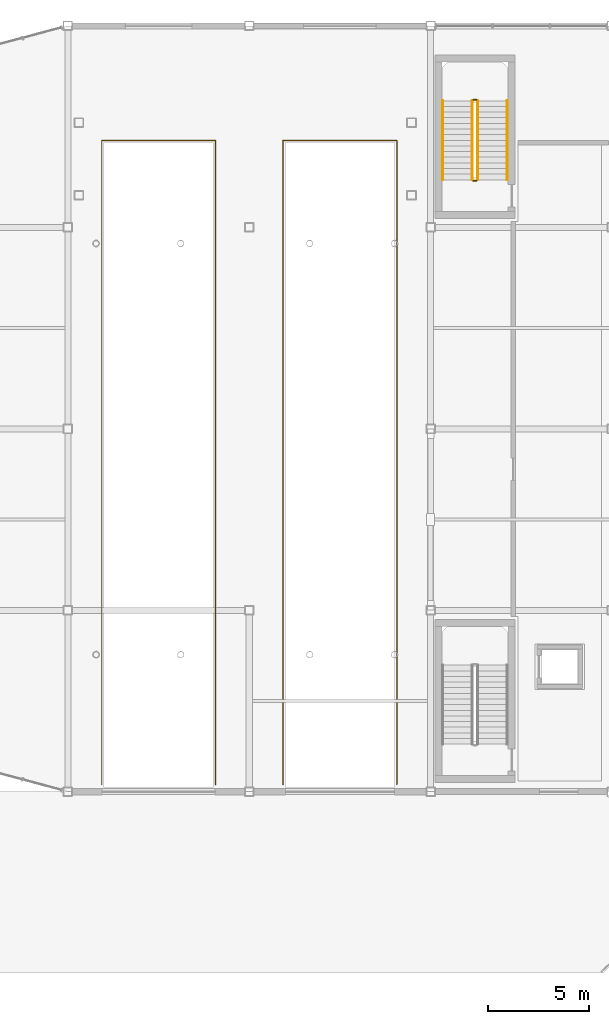
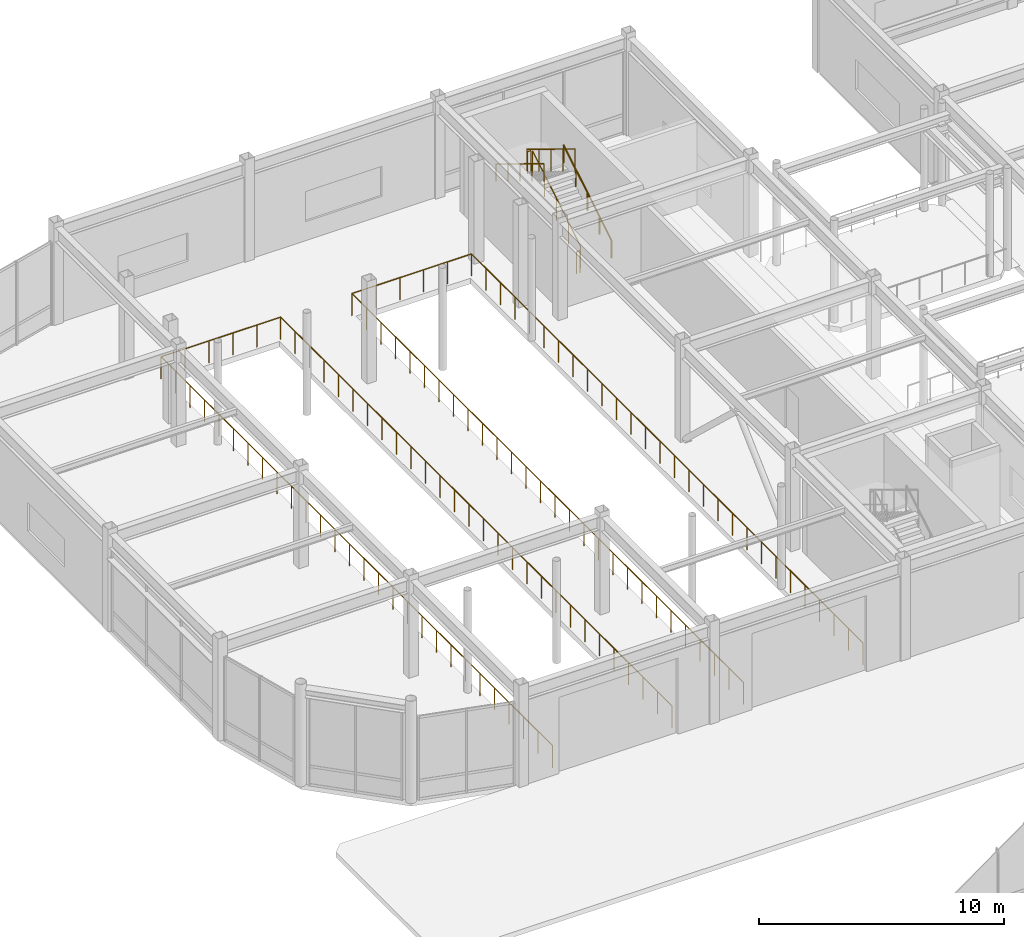
# One storey, part 112 of 123: 8 railings.
"""IFC4 building model written with IfcOpenShell, lengths in metres."""

from ifc_helpers import new_model, si_unit, direction, frame, origin, origin_2d, place, context, subcontext, project, spatial, circle, extrude, material, type_object, element, save


model = new_model("IFC4")

# Units and contexts
model_context = context("Model", 3, precision=1e-05, world=origin(), true_north=direction((0.0, 1.0)))
body_context = subcontext(model_context, "Body", "Model", "MODEL_VIEW")
ifc_project = project(units=[si_unit("LENGTHUNIT", "METRE"), si_unit("AREAUNIT", "SQUARE_METRE"), si_unit("VOLUMEUNIT", "CUBIC_METRE"), si_unit("PLANEANGLEUNIT", "RADIAN"), si_unit("MASSUNIT", "GRAM", prefix="KILO")], contexts=[model_context])

# Site, building, storey
site_placement = place(None, origin())
site = spatial("IfcSite", under=ifc_project, at=site_placement, CompositionType="ELEMENT")
building_placement = place(site_placement, origin())
building = spatial("IfcBuilding", under=site, at=building_placement, Name="Suzunagisa Mobility Hub", CompositionType="ELEMENT")
storey_placement = place(building_placement, origin())
storey = spatial("IfcBuildingStorey", under=building, at=storey_placement, Name="L00", CompositionType="ELEMENT", Elevation=0.0)

# Railings
ifc_material = material(Name="Stainless Steel SUS304", Category="metal")
railing_type_1 = type_object("IfcRailingType", Name="Interior Well Guardrail IGR-01", PredefinedType="GUARDRAIL", material=ifc_material)
railing_1_placement = place(storey_placement, frame((29.330078125, 110.360107421875, 0.169921875)))
element("IfcRailing", 1, at=railing_1_placement, inside=storey, type_object=railing_type_1, Name="L00 ST-06 stair guard 1", PredefinedType="GUARDRAIL", context=body_context, shape_type="SweptSolid", body=[
    extrude(circle(Radius=0.02392578125, at=origin_2d()), frame((0.0, 0.0, 1.09619140625), z_axis=(0.0, 0.854770645689, 0.519005918337), x_axis=(-1.0, 0.0, 0.0)), (0.0, 0.0, 1.0), 4.5859375),
    extrude(circle(Radius=0.02099609375, at=origin_2d()), origin(), (0.0, 0.0, 1.0), 1.072021484375),
    extrude(circle(Radius=0.02099609375, at=origin_2d()), frame((0.0, 0.97998046875, 0.594970703125)), (0.0, 0.0, 1.0), 1.072021484375),
    extrude(circle(Radius=0.02099609375, at=origin_2d()), frame((0.0, 1.9599609375, 1.18994140625)), (0.0, 0.0, 1.0), 1.072021484375),
    extrude(circle(Radius=0.02099609375, at=origin_2d()), frame((0.0, 2.93994140625, 1.78515625)), (0.0, 0.0, 1.0), 1.072021484375),
    extrude(circle(Radius=0.02099609375, at=origin_2d()), frame((0.0, 3.919921875, 2.380126953125)), (0.0, 0.0, 1.0), 1.072021484375),
])
railing_2_placement = place(storey_placement, frame((29.280029296875, 114.330078125, 2.550048828125)))
element("IfcRailing", 2, at=railing_2_placement, inside=storey, type_object=railing_type_1, Name="L00 ST-06 stair guard 2", PredefinedType="GUARDRAIL", context=body_context, shape_type="SweptSolid", body=[
    extrude(circle(Radius=0.02392578125, at=origin_2d()), frame((0.0, 0.0, 1.09619140625), z_axis=(-1.0, 0.0, 0.0), x_axis=(0.0, -1.0, 0.0)), (0.0, 0.0, 1.0), 0.159912109375),
    extrude(circle(Radius=0.02099609375, at=origin_2d()), origin(), (0.0, 0.0, 1.0), 1.072021484375),
    extrude(circle(Radius=0.02099609375, at=origin_2d()), frame((-0.159912109375, 0.0, 0.0)), (0.0, 0.0, 1.0), 1.072021484375),
])
railing_3_placement = place(storey_placement, frame((29.070068359375, 114.280029296875, 2.719970703125)))
element("IfcRailing", 3, at=railing_3_placement, inside=storey, type_object=railing_type_1, Name="L00 ST-06 stair guard 3", PredefinedType="GUARDRAIL", context=body_context, shape_type="SweptSolid", body=[
    extrude(circle(Radius=0.02392578125, at=origin_2d()), frame((0.0, 0.0, 1.09619140625), z_axis=(0.0, -0.854770645689, 0.519005918337), x_axis=(1.0, 0.0, 0.0)), (0.0, 0.0, 1.0), 4.5859375),
    extrude(circle(Radius=0.02099609375, at=origin_2d()), origin(), (0.0, 0.0, 1.0), 1.072021484375),
    extrude(circle(Radius=0.02099609375, at=origin_2d()), frame((0.0, -0.97998046875, 0.594970703125)), (0.0, 0.0, 1.0), 1.072021484375),
    extrude(circle(Radius=0.02099609375, at=origin_2d()), frame((0.0, -1.9599609375, 1.18994140625)), (0.0, 0.0, 1.0), 1.072021484375),
    extrude(circle(Radius=0.02099609375, at=origin_2d()), frame((0.0, -2.93994140625, 1.78515625)), (0.0, 0.0, 1.0), 1.072021484375),
    extrude(circle(Radius=0.02099609375, at=origin_2d()), frame((0.0, -3.919921875, 2.380126953125)), (0.0, 0.0, 1.0), 1.072021484375),
])
railing_4_placement = place(storey_placement, frame((29.280029296875, 110.31005859375, 0.0)))
element("IfcRailing", 4, at=railing_4_placement, inside=storey, type_object=railing_type_1, Name="L00 ST-06 stair guard 4", PredefinedType="GUARDRAIL", context=body_context, shape_type="SweptSolid", body=[
    extrude(circle(Radius=0.02392578125, at=origin_2d()), frame((0.0, 0.0, 1.09619140625), z_axis=(-1.0, 0.0, 0.0), x_axis=(0.0, -1.0, 0.0)), (0.0, 0.0, 1.0), 0.159912109375),
    extrude(circle(Radius=0.02099609375, at=origin_2d()), origin(), (0.0, 0.0, 1.0), 1.072021484375),
    extrude(circle(Radius=0.02099609375, at=origin_2d()), frame((-0.159912109375, 0.0, 0.0)), (0.0, 0.0, 1.0), 1.072021484375),
])
railing_5_placement = place(storey_placement, frame((10.679931640625, 80.35009765625, 0.0)))
element("IfcRailing", 5, at=railing_5_placement, inside=storey, type_object=railing_type_1, Name="L00 Grade Ramp Well Perimeter Guardrail RG-13", PredefinedType="GUARDRAIL", context=body_context, shape_type="SweptSolid", body=[
    extrude(circle(Radius=0.02392578125, at=origin_2d()), frame((0.0, 0.0, 1.09619140625), z_axis=(0.0, 1.0, 0.0), x_axis=(-1.0, 0.0, 0.0)), (0.0, 0.0, 1.0), 31.969970703125),
    extrude(circle(Radius=0.02392578125, at=origin_2d()), frame((0.0, 31.969970703125, 1.09619140625), z_axis=(1.0, 0.0, 0.0), x_axis=(0.0, 1.0, 0.0)), (0.0, 0.0, 1.0), 5.64013671875),
    extrude(circle(Radius=0.02392578125, at=origin_2d()), frame((5.64013671875, 31.969970703125, 1.09619140625), z_axis=(0.0, -1.0, 0.0), x_axis=(1.0, 0.0, 0.0)), (0.0, 0.0, 1.0), 31.969970703125),
    extrude(circle(Radius=0.02099609375, at=origin_2d()), origin(), (0.0, 0.0, 1.0), 1.072021484375),
    extrude(circle(Radius=0.02099609375, at=origin_2d()), frame((0.0, 1.18408203125, 0.0)), (0.0, 0.0, 1.0), 1.072021484375),
    extrude(circle(Radius=0.02099609375, at=origin_2d()), frame((0.0, 2.3681640625, 0.0)), (0.0, 0.0, 1.0), 1.072021484375),
    extrude(circle(Radius=0.02099609375, at=origin_2d()), frame((0.0, 3.55224609375, 0.0)), (0.0, 0.0, 1.0), 1.072021484375),
    extrude(circle(Radius=0.02099609375, at=origin_2d()), frame((0.0, 4.736328125, 0.0)), (0.0, 0.0, 1.0), 1.072021484375),
    extrude(circle(Radius=0.02099609375, at=origin_2d()), frame((0.0, 5.92041015625, 0.0)), (0.0, 0.0, 1.0), 1.072021484375),
    extrude(circle(Radius=0.02099609375, at=origin_2d()), frame((0.0, 7.1044921875, 0.0)), (0.0, 0.0, 1.0), 1.072021484375),
    extrude(circle(Radius=0.02099609375, at=origin_2d()), frame((0.0, 8.28857421875, 0.0)), (0.0, 0.0, 1.0), 1.072021484375),
    extrude(circle(Radius=0.02099609375, at=origin_2d()), frame((0.0, 9.47265625, 0.0)), (0.0, 0.0, 1.0), 1.072021484375),
    extrude(circle(Radius=0.02099609375, at=origin_2d()), frame((0.0, 10.65673828125, 0.0)), (0.0, 0.0, 1.0), 1.072021484375),
    extrude(circle(Radius=0.02099609375, at=origin_2d()), frame((0.0, 11.8408203125, 0.0)), (0.0, 0.0, 1.0), 1.072021484375),
    extrude(circle(Radius=0.02099609375, at=origin_2d()), frame((0.0, 13.02490234375, 0.0)), (0.0, 0.0, 1.0), 1.072021484375),
    extrude(circle(Radius=0.02099609375, at=origin_2d()), frame((0.0, 14.208984375, 0.0)), (0.0, 0.0, 1.0), 1.072021484375),
    extrude(circle(Radius=0.02099609375, at=origin_2d()), frame((0.0, 15.39306640625, 0.0)), (0.0, 0.0, 1.0), 1.072021484375),
    extrude(circle(Radius=0.02099609375, at=origin_2d()), frame((0.0, 16.576904296875, 0.0)), (0.0, 0.0, 1.0), 1.072021484375),
    extrude(circle(Radius=0.02099609375, at=origin_2d()), frame((0.0, 17.760986328125, 0.0)), (0.0, 0.0, 1.0), 1.072021484375),
    extrude(circle(Radius=0.02099609375, at=origin_2d()), frame((0.0, 18.945068359375, 0.0)), (0.0, 0.0, 1.0), 1.072021484375),
    extrude(circle(Radius=0.02099609375, at=origin_2d()), frame((0.0, 20.129150390625, 0.0)), (0.0, 0.0, 1.0), 1.072021484375),
    extrude(circle(Radius=0.02099609375, at=origin_2d()), frame((0.0, 21.313232421875, 0.0)), (0.0, 0.0, 1.0), 1.072021484375),
    extrude(circle(Radius=0.02099609375, at=origin_2d()), frame((0.0, 22.497314453125, 0.0)), (0.0, 0.0, 1.0), 1.072021484375),
    extrude(circle(Radius=0.02099609375, at=origin_2d()), frame((0.0, 23.681396484375, 0.0)), (0.0, 0.0, 1.0), 1.072021484375),
    extrude(circle(Radius=0.02099609375, at=origin_2d()), frame((0.0, 24.865478515625, 0.0)), (0.0, 0.0, 1.0), 1.072021484375),
    extrude(circle(Radius=0.02099609375, at=origin_2d()), frame((0.0, 26.049560546875, 0.0)), (0.0, 0.0, 1.0), 1.072021484375),
    extrude(circle(Radius=0.02099609375, at=origin_2d()), frame((0.0, 27.233642578125, 0.0)), (0.0, 0.0, 1.0), 1.072021484375),
    extrude(circle(Radius=0.02099609375, at=origin_2d()), frame((0.0, 28.417724609375, 0.0)), (0.0, 0.0, 1.0), 1.072021484375),
    extrude(circle(Radius=0.02099609375, at=origin_2d()), frame((0.0, 29.601806640625, 0.0)), (0.0, 0.0, 1.0), 1.072021484375),
    extrude(circle(Radius=0.02099609375, at=origin_2d()), frame((0.0, 30.785888671875, 0.0)), (0.0, 0.0, 1.0), 1.072021484375),
    extrude(circle(Radius=0.02099609375, at=origin_2d()), frame((0.0, 31.969970703125, 0.0)), (0.0, 0.0, 1.0), 1.072021484375),
    extrude(circle(Radius=0.02099609375, at=origin_2d()), frame((1.1279296875, 31.969970703125, 0.0)), (0.0, 0.0, 1.0), 1.072021484375),
    extrude(circle(Radius=0.02099609375, at=origin_2d()), frame((2.256103515625, 31.969970703125, 0.0)), (0.0, 0.0, 1.0), 1.072021484375),
    extrude(circle(Radius=0.02099609375, at=origin_2d()), frame((3.384033203125, 31.969970703125, 0.0)), (0.0, 0.0, 1.0), 1.072021484375),
    extrude(circle(Radius=0.02099609375, at=origin_2d()), frame((4.51220703125, 31.969970703125, 0.0)), (0.0, 0.0, 1.0), 1.072021484375),
    extrude(circle(Radius=0.02099609375, at=origin_2d()), frame((5.64013671875, 31.969970703125, 0.0)), (0.0, 0.0, 1.0), 1.072021484375),
    extrude(circle(Radius=0.02099609375, at=origin_2d()), frame((5.64013671875, 30.785888671875, 0.0)), (0.0, 0.0, 1.0), 1.072021484375),
    extrude(circle(Radius=0.02099609375, at=origin_2d()), frame((5.64013671875, 29.601806640625, 0.0)), (0.0, 0.0, 1.0), 1.072021484375),
    extrude(circle(Radius=0.02099609375, at=origin_2d()), frame((5.64013671875, 28.417724609375, 0.0)), (0.0, 0.0, 1.0), 1.072021484375),
    extrude(circle(Radius=0.02099609375, at=origin_2d()), frame((5.64013671875, 27.233642578125, 0.0)), (0.0, 0.0, 1.0), 1.072021484375),
    extrude(circle(Radius=0.02099609375, at=origin_2d()), frame((5.64013671875, 26.049560546875, 0.0)), (0.0, 0.0, 1.0), 1.072021484375),
    extrude(circle(Radius=0.02099609375, at=origin_2d()), frame((5.64013671875, 24.865478515625, 0.0)), (0.0, 0.0, 1.0), 1.072021484375),
    extrude(circle(Radius=0.02099609375, at=origin_2d()), frame((5.64013671875, 23.681396484375, 0.0)), (0.0, 0.0, 1.0), 1.072021484375),
    extrude(circle(Radius=0.02099609375, at=origin_2d()), frame((5.64013671875, 22.497314453125, 0.0)), (0.0, 0.0, 1.0), 1.072021484375),
    extrude(circle(Radius=0.02099609375, at=origin_2d()), frame((5.64013671875, 21.313232421875, 0.0)), (0.0, 0.0, 1.0), 1.072021484375),
    extrude(circle(Radius=0.02099609375, at=origin_2d()), frame((5.64013671875, 20.129150390625, 0.0)), (0.0, 0.0, 1.0), 1.072021484375),
    extrude(circle(Radius=0.02099609375, at=origin_2d()), frame((5.64013671875, 18.945068359375, 0.0)), (0.0, 0.0, 1.0), 1.072021484375),
    extrude(circle(Radius=0.02099609375, at=origin_2d()), frame((5.64013671875, 17.760986328125, 0.0)), (0.0, 0.0, 1.0), 1.072021484375),
    extrude(circle(Radius=0.02099609375, at=origin_2d()), frame((5.64013671875, 16.576904296875, 0.0)), (0.0, 0.0, 1.0), 1.072021484375),
    extrude(circle(Radius=0.02099609375, at=origin_2d()), frame((5.64013671875, 15.39306640625, 0.0)), (0.0, 0.0, 1.0), 1.072021484375),
    extrude(circle(Radius=0.02099609375, at=origin_2d()), frame((5.64013671875, 14.208984375, 0.0)), (0.0, 0.0, 1.0), 1.072021484375),
    extrude(circle(Radius=0.02099609375, at=origin_2d()), frame((5.64013671875, 13.02490234375, 0.0)), (0.0, 0.0, 1.0), 1.072021484375),
    extrude(circle(Radius=0.02099609375, at=origin_2d()), frame((5.64013671875, 11.8408203125, 0.0)), (0.0, 0.0, 1.0), 1.072021484375),
    extrude(circle(Radius=0.02099609375, at=origin_2d()), frame((5.64013671875, 10.65673828125, 0.0)), (0.0, 0.0, 1.0), 1.072021484375),
    extrude(circle(Radius=0.02099609375, at=origin_2d()), frame((5.64013671875, 9.47265625, 0.0)), (0.0, 0.0, 1.0), 1.072021484375),
    extrude(circle(Radius=0.02099609375, at=origin_2d()), frame((5.64013671875, 8.28857421875, 0.0)), (0.0, 0.0, 1.0), 1.072021484375),
    extrude(circle(Radius=0.02099609375, at=origin_2d()), frame((5.64013671875, 7.1044921875, 0.0)), (0.0, 0.0, 1.0), 1.072021484375),
    extrude(circle(Radius=0.02099609375, at=origin_2d()), frame((5.64013671875, 5.92041015625, 0.0)), (0.0, 0.0, 1.0), 1.072021484375),
    extrude(circle(Radius=0.02099609375, at=origin_2d()), frame((5.64013671875, 4.736328125, 0.0)), (0.0, 0.0, 1.0), 1.072021484375),
    extrude(circle(Radius=0.02099609375, at=origin_2d()), frame((5.64013671875, 3.55224609375, 0.0)), (0.0, 0.0, 1.0), 1.072021484375),
    extrude(circle(Radius=0.02099609375, at=origin_2d()), frame((5.64013671875, 2.3681640625, 0.0)), (0.0, 0.0, 1.0), 1.072021484375),
    extrude(circle(Radius=0.02099609375, at=origin_2d()), frame((5.64013671875, 1.18408203125, 0.0)), (0.0, 0.0, 1.0), 1.072021484375),
    extrude(circle(Radius=0.02099609375, at=origin_2d()), frame((5.64013671875, 0.0, 0.0)), (0.0, 0.0, 1.0), 1.072021484375),
])
railing_6_placement = place(storey_placement, frame((19.679931640625, 80.35009765625, 0.0)))
element("IfcRailing", 6, at=railing_6_placement, inside=storey, type_object=railing_type_1, Name="L00 Grade Ramp Well Perimeter Guardrail RG-16", PredefinedType="GUARDRAIL", context=body_context, shape_type="SweptSolid", body=[
    extrude(circle(Radius=0.02392578125, at=origin_2d()), frame((0.0, 0.0, 1.09619140625), z_axis=(0.0, 1.0, 0.0), x_axis=(-1.0, 0.0, 0.0)), (0.0, 0.0, 1.0), 31.969970703125),
    extrude(circle(Radius=0.02392578125, at=origin_2d()), frame((0.0, 31.969970703125, 1.09619140625), z_axis=(1.0, 0.0, 0.0), x_axis=(0.0, 1.0, 0.0)), (0.0, 0.0, 1.0), 5.64013671875),
    extrude(circle(Radius=0.02392578125, at=origin_2d()), frame((5.64013671875, 31.969970703125, 1.09619140625), z_axis=(0.0, -1.0, 0.0), x_axis=(1.0, 0.0, 0.0)), (0.0, 0.0, 1.0), 31.969970703125),
    extrude(circle(Radius=0.02099609375, at=origin_2d()), origin(), (0.0, 0.0, 1.0), 1.072021484375),
    extrude(circle(Radius=0.02099609375, at=origin_2d()), frame((0.0, 1.18408203125, 0.0)), (0.0, 0.0, 1.0), 1.072021484375),
    extrude(circle(Radius=0.02099609375, at=origin_2d()), frame((0.0, 2.3681640625, 0.0)), (0.0, 0.0, 1.0), 1.072021484375),
    extrude(circle(Radius=0.02099609375, at=origin_2d()), frame((0.0, 3.55224609375, 0.0)), (0.0, 0.0, 1.0), 1.072021484375),
    extrude(circle(Radius=0.02099609375, at=origin_2d()), frame((0.0, 4.736328125, 0.0)), (0.0, 0.0, 1.0), 1.072021484375),
    extrude(circle(Radius=0.02099609375, at=origin_2d()), frame((0.0, 5.92041015625, 0.0)), (0.0, 0.0, 1.0), 1.072021484375),
    extrude(circle(Radius=0.02099609375, at=origin_2d()), frame((0.0, 7.1044921875, 0.0)), (0.0, 0.0, 1.0), 1.072021484375),
    extrude(circle(Radius=0.02099609375, at=origin_2d()), frame((0.0, 8.28857421875, 0.0)), (0.0, 0.0, 1.0), 1.072021484375),
    extrude(circle(Radius=0.02099609375, at=origin_2d()), frame((0.0, 9.47265625, 0.0)), (0.0, 0.0, 1.0), 1.072021484375),
    extrude(circle(Radius=0.02099609375, at=origin_2d()), frame((0.0, 10.65673828125, 0.0)), (0.0, 0.0, 1.0), 1.072021484375),
    extrude(circle(Radius=0.02099609375, at=origin_2d()), frame((0.0, 11.8408203125, 0.0)), (0.0, 0.0, 1.0), 1.072021484375),
    extrude(circle(Radius=0.02099609375, at=origin_2d()), frame((0.0, 13.02490234375, 0.0)), (0.0, 0.0, 1.0), 1.072021484375),
    extrude(circle(Radius=0.02099609375, at=origin_2d()), frame((0.0, 14.208984375, 0.0)), (0.0, 0.0, 1.0), 1.072021484375),
    extrude(circle(Radius=0.02099609375, at=origin_2d()), frame((0.0, 15.39306640625, 0.0)), (0.0, 0.0, 1.0), 1.072021484375),
    extrude(circle(Radius=0.02099609375, at=origin_2d()), frame((0.0, 16.576904296875, 0.0)), (0.0, 0.0, 1.0), 1.072021484375),
    extrude(circle(Radius=0.02099609375, at=origin_2d()), frame((0.0, 17.760986328125, 0.0)), (0.0, 0.0, 1.0), 1.072021484375),
    extrude(circle(Radius=0.02099609375, at=origin_2d()), frame((0.0, 18.945068359375, 0.0)), (0.0, 0.0, 1.0), 1.072021484375),
    extrude(circle(Radius=0.02099609375, at=origin_2d()), frame((0.0, 20.129150390625, 0.0)), (0.0, 0.0, 1.0), 1.072021484375),
    extrude(circle(Radius=0.02099609375, at=origin_2d()), frame((0.0, 21.313232421875, 0.0)), (0.0, 0.0, 1.0), 1.072021484375),
    extrude(circle(Radius=0.02099609375, at=origin_2d()), frame((0.0, 22.497314453125, 0.0)), (0.0, 0.0, 1.0), 1.072021484375),
    extrude(circle(Radius=0.02099609375, at=origin_2d()), frame((0.0, 23.681396484375, 0.0)), (0.0, 0.0, 1.0), 1.072021484375),
    extrude(circle(Radius=0.02099609375, at=origin_2d()), frame((0.0, 24.865478515625, 0.0)), (0.0, 0.0, 1.0), 1.072021484375),
    extrude(circle(Radius=0.02099609375, at=origin_2d()), frame((0.0, 26.049560546875, 0.0)), (0.0, 0.0, 1.0), 1.072021484375),
    extrude(circle(Radius=0.02099609375, at=origin_2d()), frame((0.0, 27.233642578125, 0.0)), (0.0, 0.0, 1.0), 1.072021484375),
    extrude(circle(Radius=0.02099609375, at=origin_2d()), frame((0.0, 28.417724609375, 0.0)), (0.0, 0.0, 1.0), 1.072021484375),
    extrude(circle(Radius=0.02099609375, at=origin_2d()), frame((0.0, 29.601806640625, 0.0)), (0.0, 0.0, 1.0), 1.072021484375),
    extrude(circle(Radius=0.02099609375, at=origin_2d()), frame((0.0, 30.785888671875, 0.0)), (0.0, 0.0, 1.0), 1.072021484375),
    extrude(circle(Radius=0.02099609375, at=origin_2d()), frame((0.0, 31.969970703125, 0.0)), (0.0, 0.0, 1.0), 1.072021484375),
    extrude(circle(Radius=0.02099609375, at=origin_2d()), frame((1.1279296875, 31.969970703125, 0.0)), (0.0, 0.0, 1.0), 1.072021484375),
    extrude(circle(Radius=0.02099609375, at=origin_2d()), frame((2.256103515625, 31.969970703125, 0.0)), (0.0, 0.0, 1.0), 1.072021484375),
    extrude(circle(Radius=0.02099609375, at=origin_2d()), frame((3.384033203125, 31.969970703125, 0.0)), (0.0, 0.0, 1.0), 1.072021484375),
    extrude(circle(Radius=0.02099609375, at=origin_2d()), frame((4.51220703125, 31.969970703125, 0.0)), (0.0, 0.0, 1.0), 1.072021484375),
    extrude(circle(Radius=0.02099609375, at=origin_2d()), frame((5.64013671875, 31.969970703125, 0.0)), (0.0, 0.0, 1.0), 1.072021484375),
    extrude(circle(Radius=0.02099609375, at=origin_2d()), frame((5.64013671875, 30.785888671875, 0.0)), (0.0, 0.0, 1.0), 1.072021484375),
    extrude(circle(Radius=0.02099609375, at=origin_2d()), frame((5.64013671875, 29.601806640625, 0.0)), (0.0, 0.0, 1.0), 1.072021484375),
    extrude(circle(Radius=0.02099609375, at=origin_2d()), frame((5.64013671875, 28.417724609375, 0.0)), (0.0, 0.0, 1.0), 1.072021484375),
    extrude(circle(Radius=0.02099609375, at=origin_2d()), frame((5.64013671875, 27.233642578125, 0.0)), (0.0, 0.0, 1.0), 1.072021484375),
    extrude(circle(Radius=0.02099609375, at=origin_2d()), frame((5.64013671875, 26.049560546875, 0.0)), (0.0, 0.0, 1.0), 1.072021484375),
    extrude(circle(Radius=0.02099609375, at=origin_2d()), frame((5.64013671875, 24.865478515625, 0.0)), (0.0, 0.0, 1.0), 1.072021484375),
    extrude(circle(Radius=0.02099609375, at=origin_2d()), frame((5.64013671875, 23.681396484375, 0.0)), (0.0, 0.0, 1.0), 1.072021484375),
    extrude(circle(Radius=0.02099609375, at=origin_2d()), frame((5.64013671875, 22.497314453125, 0.0)), (0.0, 0.0, 1.0), 1.072021484375),
    extrude(circle(Radius=0.02099609375, at=origin_2d()), frame((5.64013671875, 21.313232421875, 0.0)), (0.0, 0.0, 1.0), 1.072021484375),
    extrude(circle(Radius=0.02099609375, at=origin_2d()), frame((5.64013671875, 20.129150390625, 0.0)), (0.0, 0.0, 1.0), 1.072021484375),
    extrude(circle(Radius=0.02099609375, at=origin_2d()), frame((5.64013671875, 18.945068359375, 0.0)), (0.0, 0.0, 1.0), 1.072021484375),
    extrude(circle(Radius=0.02099609375, at=origin_2d()), frame((5.64013671875, 17.760986328125, 0.0)), (0.0, 0.0, 1.0), 1.072021484375),
    extrude(circle(Radius=0.02099609375, at=origin_2d()), frame((5.64013671875, 16.576904296875, 0.0)), (0.0, 0.0, 1.0), 1.072021484375),
    extrude(circle(Radius=0.02099609375, at=origin_2d()), frame((5.64013671875, 15.39306640625, 0.0)), (0.0, 0.0, 1.0), 1.072021484375),
    extrude(circle(Radius=0.02099609375, at=origin_2d()), frame((5.64013671875, 14.208984375, 0.0)), (0.0, 0.0, 1.0), 1.072021484375),
    extrude(circle(Radius=0.02099609375, at=origin_2d()), frame((5.64013671875, 13.02490234375, 0.0)), (0.0, 0.0, 1.0), 1.072021484375),
    extrude(circle(Radius=0.02099609375, at=origin_2d()), frame((5.64013671875, 11.8408203125, 0.0)), (0.0, 0.0, 1.0), 1.072021484375),
    extrude(circle(Radius=0.02099609375, at=origin_2d()), frame((5.64013671875, 10.65673828125, 0.0)), (0.0, 0.0, 1.0), 1.072021484375),
    extrude(circle(Radius=0.02099609375, at=origin_2d()), frame((5.64013671875, 9.47265625, 0.0)), (0.0, 0.0, 1.0), 1.072021484375),
    extrude(circle(Radius=0.02099609375, at=origin_2d()), frame((5.64013671875, 8.28857421875, 0.0)), (0.0, 0.0, 1.0), 1.072021484375),
    extrude(circle(Radius=0.02099609375, at=origin_2d()), frame((5.64013671875, 7.1044921875, 0.0)), (0.0, 0.0, 1.0), 1.072021484375),
    extrude(circle(Radius=0.02099609375, at=origin_2d()), frame((5.64013671875, 5.92041015625, 0.0)), (0.0, 0.0, 1.0), 1.072021484375),
    extrude(circle(Radius=0.02099609375, at=origin_2d()), frame((5.64013671875, 4.736328125, 0.0)), (0.0, 0.0, 1.0), 1.072021484375),
    extrude(circle(Radius=0.02099609375, at=origin_2d()), frame((5.64013671875, 3.55224609375, 0.0)), (0.0, 0.0, 1.0), 1.072021484375),
    extrude(circle(Radius=0.02099609375, at=origin_2d()), frame((5.64013671875, 2.3681640625, 0.0)), (0.0, 0.0, 1.0), 1.072021484375),
    extrude(circle(Radius=0.02099609375, at=origin_2d()), frame((5.64013671875, 1.18408203125, 0.0)), (0.0, 0.0, 1.0), 1.072021484375),
    extrude(circle(Radius=0.02099609375, at=origin_2d()), frame((5.64013671875, 0.0, 0.0)), (0.0, 0.0, 1.0), 1.072021484375),
])
railing_type_2 = type_object("IfcRailingType", Name="Tubular Stainless Stair Handrail IHR-01", PredefinedType="HANDRAIL", material=ifc_material)
railing_7_placement = place(storey_placement, frame((30.7900390625, 110.360107421875, 0.169921875)))
element("IfcRailing", 7, at=railing_7_placement, inside=storey, type_object=railing_type_2, Name="L00 ST-06 stair handrail 1", PredefinedType="HANDRAIL", context=body_context, shape_type="SweptSolid", body=[
    extrude(circle(Radius=0.02392578125, at=origin_2d()), frame((0.0, 0.0, 0.8759765625), z_axis=(0.0, 0.854770645689, 0.519005918337), x_axis=(-1.0, 0.0, 0.0)), (0.0, 0.0, 1.0), 4.5859375),
    extrude(circle(Radius=0.02099609375, at=origin_2d()), origin(), (0.0, 0.0, 1.0), 0.851806640625),
    extrude(circle(Radius=0.02099609375, at=origin_2d()), frame((0.0, 0.97998046875, 0.594970703125)), (0.0, 0.0, 1.0), 0.851806640625),
    extrude(circle(Radius=0.02099609375, at=origin_2d()), frame((0.0, 1.9599609375, 1.18994140625)), (0.0, 0.0, 1.0), 0.851806640625),
    extrude(circle(Radius=0.02099609375, at=origin_2d()), frame((0.0, 2.93994140625, 1.78515625)), (0.0, 0.0, 1.0), 0.851806640625),
    extrude(circle(Radius=0.02099609375, at=origin_2d()), frame((0.0, 3.919921875, 2.380126953125)), (0.0, 0.0, 1.0), 0.851806640625),
])
railing_8_placement = place(storey_placement, frame((27.610107421875, 114.280029296875, 2.719970703125)))
element("IfcRailing", 8, at=railing_8_placement, inside=storey, type_object=railing_type_2, Name="L00 ST-06 stair handrail 2", PredefinedType="HANDRAIL", context=body_context, shape_type="SweptSolid", body=[
    extrude(circle(Radius=0.02392578125, at=origin_2d()), frame((0.0, 0.0, 0.8759765625), z_axis=(0.0, -0.854770645689, 0.519005918337), x_axis=(1.0, 0.0, 0.0)), (0.0, 0.0, 1.0), 4.5859375),
    extrude(circle(Radius=0.02099609375, at=origin_2d()), origin(), (0.0, 0.0, 1.0), 0.851806640625),
    extrude(circle(Radius=0.02099609375, at=origin_2d()), frame((0.0, -0.97998046875, 0.594970703125)), (0.0, 0.0, 1.0), 0.851806640625),
    extrude(circle(Radius=0.02099609375, at=origin_2d()), frame((0.0, -1.9599609375, 1.18994140625)), (0.0, 0.0, 1.0), 0.851806640625),
    extrude(circle(Radius=0.02099609375, at=origin_2d()), frame((0.0, -2.93994140625, 1.78515625)), (0.0, 0.0, 1.0), 0.851806640625),
    extrude(circle(Radius=0.02099609375, at=origin_2d()), frame((0.0, -3.919921875, 2.380126953125)), (0.0, 0.0, 1.0), 0.851806640625),
])

save(model, "model.ifc")
